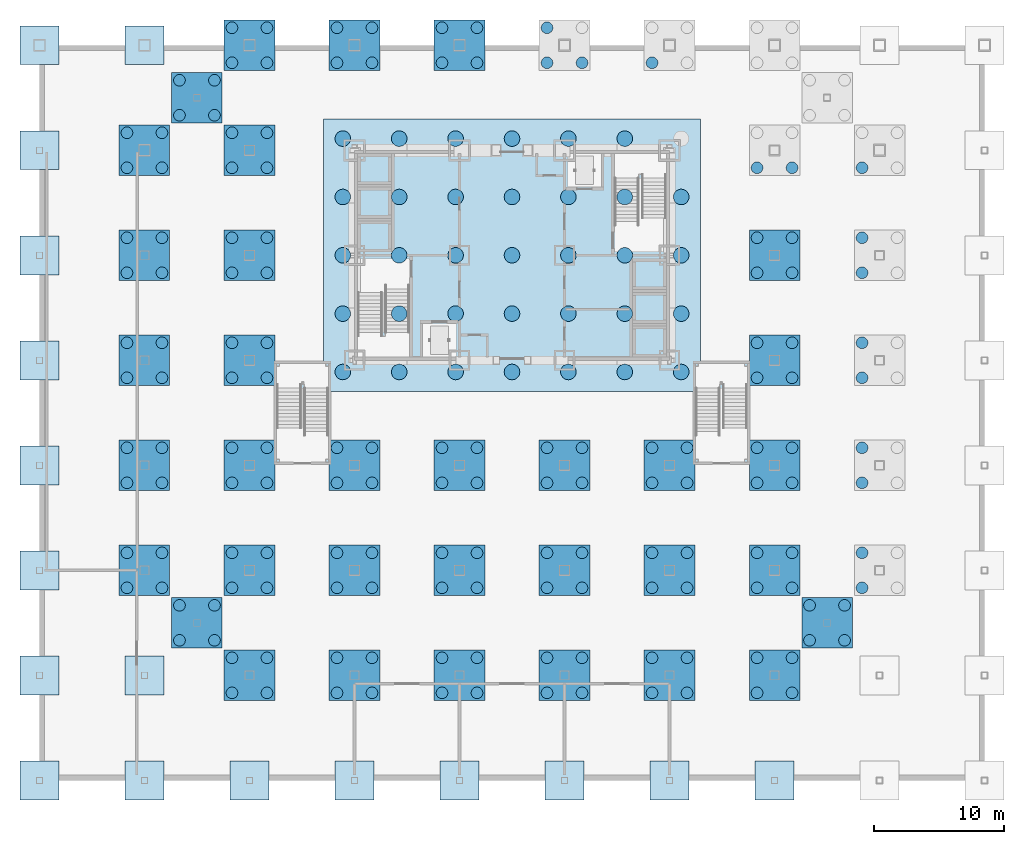
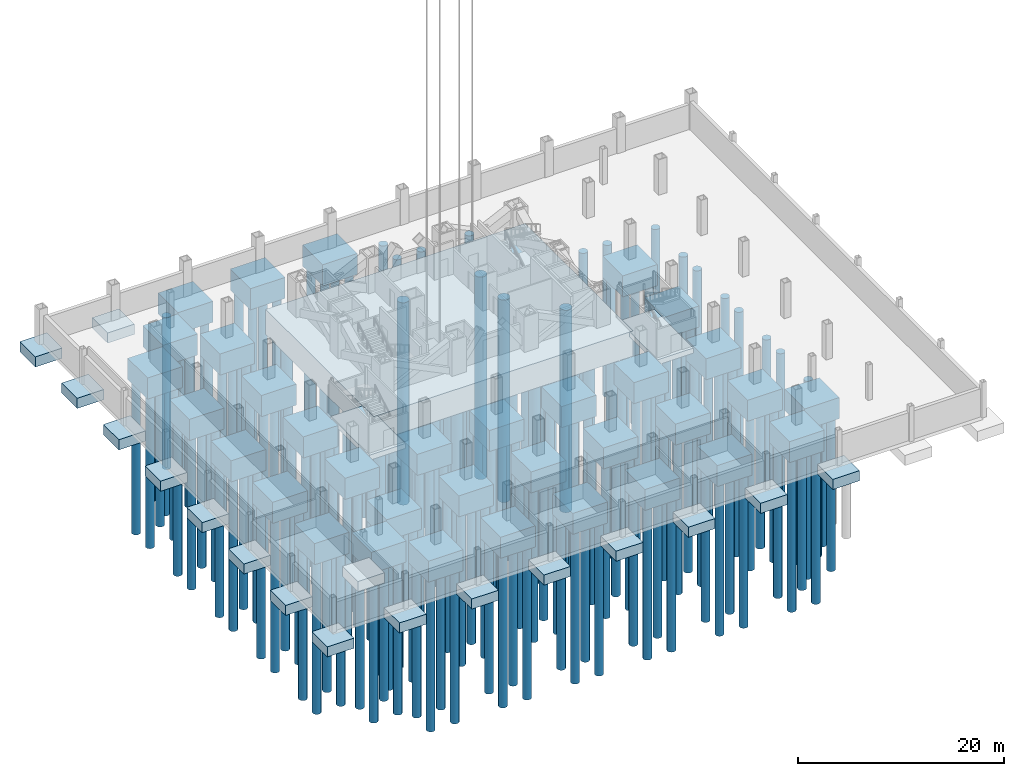
# One storey, part 1 of 17: 185 piles, 54 footings.
"""IFC4 building model written with IfcOpenShell, lengths in metres."""

from ifc_helpers import new_model, si_unit, direction, frame, origin, origin_2d, place, context, subcontext, project, spatial, polyline, rectangle, circle, outline, extrude, material, layer, layer_set, material_profile, profile_set, type_object, element, save


model = new_model("IFC4")

# Units and contexts
model_context = context("Model", 3, precision=1e-05, world=origin(), true_north=direction((0.0, 1.0)))
body_context = subcontext(model_context, "Body", "Model", "MODEL_VIEW")
ifc_project = project(units=[si_unit("LENGTHUNIT", "METRE"), si_unit("AREAUNIT", "SQUARE_METRE"), si_unit("VOLUMEUNIT", "CUBIC_METRE"), si_unit("PLANEANGLEUNIT", "RADIAN"), si_unit("MASSUNIT", "GRAM", prefix="KILO")], contexts=[model_context])

# Site, building, storey
site_placement = place(None, origin())
site = spatial("IfcSite", under=ifc_project, at=site_placement, CompositionType="ELEMENT")
building_placement = place(site_placement, origin())
building = spatial("IfcBuilding", under=site, at=building_placement, Name="Kopane Lantern Tower", CompositionType="ELEMENT")
storey_placement = place(building_placement, frame((0.0, 0.0, -8.39990234375)))
storey = spatial("IfcBuildingStorey", under=building, at=storey_placement, Name="L-02", CompositionType="ELEMENT", Elevation=-8.39990234375)

# Footings
ifc_material_1 = material(Name="Concrete C35/45", Category="concrete")
footing_type_1 = type_object("IfcFootingType", Name="CORE RAFT 3000", PredefinedType="PILE_CAP", material=ifc_material_1)
footing_1_placement = place(storey_placement, frame((0.0, 0.0, -3.400146484375)))
element("IfcFooting", 1, at=footing_1_placement, inside=storey, type_object=footing_type_1, Name="Core raft", PredefinedType="PILE_CAP", context=body_context, shape_type="SweptSolid", body=[
    extrude(outline(polyline([(13.800048828125, 21.89990234375), (42.89990234375, 21.89990234375), (42.89990234375, 42.89990234375), (13.800048828125, 42.89990234375), (13.800048828125, 21.89990234375)])), origin(), (0.0, 0.0, 1.0), 3.0),
])
ifc_material_2 = material(Name="Concrete C35/45", Category="concrete")
footing_type_2 = type_object("IfcFootingType", Name="PAD FOOTING 3000", PredefinedType="PAD_FOOTING", material=ifc_material_2)
for number, where, z_axis, x_axis, name in (
    (2, (-8.10009765625, -8.10009765625, -1.60009765625), (0.0, 0.0, 1.0), (1.0, 0.0, 0.0), "Pad footing 1/A"),
    (3, (-8.10009765625, 0.0, -1.60009765625), (0.0, 0.0, 1.0), (1.0, 0.0, 0.0), "Pad footing 1/B"),
    (4, (-8.10009765625, 8.10009765625, -1.60009765625), (0.0, 0.0, 1.0), (1.0, 0.0, 0.0), "Pad footing 1/C"),
    (5, (-8.10009765625, 16.199951171875, -1.60009765625), (0.0, 0.0, 1.0), (1.0, 0.0, 0.0), "Pad footing 1/D"),
    (6, (-8.10009765625, 24.300048828125, -1.60009765625), (0.0, 0.0, 1.0), (1.0, 0.0, 0.0), "Pad footing 1/E"),
    (7, (-8.10009765625, 32.39990234375, -1.60009765625), (0.0, 0.0, 1.0), (1.0, 0.0, 0.0), "Pad footing 1/F"),
    (8, (-8.10009765625, 40.5, -1.60009765625), (0.0, 0.0, 1.0), (1.0, 0.0, 0.0), "Pad footing 1/G"),
    (9, (-8.10009765625, 48.60009765625, -1.60009765625), (0.0, 0.0, 1.0), (1.0, 0.0, 0.0), "Pad footing 1/H"),
    (10, (0.0, -8.10009765625, -1.60009765625), (0.0, 0.0, 1.0), (1.0, 0.0, 0.0), "Pad footing 2/A"),
    (11, (0.0, 0.0, -1.60009765625), (0.0, 0.0, 1.0), (1.0, 0.0, 0.0), "Pad footing 2/B"),
    (12, (0.0, 48.60009765625, -1.60009765625), (0.0, 0.0, 1.0), (1.0, 0.0, 0.0), "Pad footing 2/H"),
    (13, (8.10009765625, -8.10009765625, -1.60009765625), (0.0, 0.0, 1.0), (1.0, 0.0, 0.0), "Pad footing 3/A"),
    (14, (16.199951171875, -8.10009765625, -1.60009765625), (0.0, 0.0, 1.0), (1.0, 0.0, 0.0), "Pad footing 4/A"),
    (15, (24.300048828125, -8.10009765625, -1.60009765625), (0.0, 0.0, 1.0), (1.0, 0.0, 0.0), "Pad footing 5/A"),
    (16, (32.39990234375, -8.10009765625, -1.60009765625), (0.0, 0.0, 1.0), (1.0, 0.0, 0.0), "Pad footing 6/A"),
    (17, (40.5, -8.10009765625, -1.60009765625), (0.0, 0.0, 1.0), (1.0, 0.0, 0.0), "Pad footing 7/A"),
    (18, (48.60009765625, -8.10009765625, -1.60009765625), (0.0, 0.0, 1.0), (1.0, 0.0, 0.0), "Pad footing 8/A"),
):
    element("IfcFooting", number, at=place(storey_placement, frame(where, z_axis=z_axis, x_axis=x_axis)), inside=storey, type_object=footing_type_2, Name=name, PredefinedType="PAD_FOOTING", context=body_context, shape_type="SweptSolid", body=[
        extrude(rectangle(XDim=3.0, YDim=3.0, at=origin_2d()), origin(), (0.0, 0.0, 1.0), 1.199951171875),
    ])

# Piles
ifc_material_3 = material(Name="Concrete C35/45", Category="concrete")
ifc_material_profile_1 = material_profile(ifc_material_3, circle(Radius=0.60009765625, at=origin_2d()), Name="D1200")
ifc_profile_set_1 = profile_set([ifc_material_profile_1], Name="Concrete C35/45")
pile_type_1 = type_object("IfcPileType", Name="PILE BORED 1200", PredefinedType="BORED", material=ifc_profile_set_1)
for number, where, z_axis, x_axis, name in (
    (19, (15.300048828125, 23.39990234375, -3.400146484375), (0.0, 0.0, -1.0), (1.0, 0.0, 0.0), "Core raft pile 1"),
    (20, (15.300048828125, 27.89990234375, -3.400146484375), (0.0, 0.0, -1.0), (1.0, 0.0, 0.0), "Core raft pile 2"),
    (21, (15.300048828125, 32.39990234375, -3.400146484375), (0.0, 0.0, -1.0), (1.0, 0.0, 0.0), "Core raft pile 3"),
    (22, (15.300048828125, 36.89990234375, -3.400146484375), (0.0, 0.0, -1.0), (1.0, 0.0, 0.0), "Core raft pile 4"),
    (23, (15.300048828125, 41.39990234375, -3.400146484375), (0.0, 0.0, -1.0), (1.0, 0.0, 0.0), "Core raft pile 5"),
    (24, (19.64990234375, 23.39990234375, -3.400146484375), (0.0, 0.0, -1.0), (1.0, 0.0, 0.0), "Core raft pile 6"),
    (25, (19.64990234375, 27.89990234375, -3.400146484375), (0.0, 0.0, -1.0), (1.0, 0.0, 0.0), "Core raft pile 7"),
    (26, (19.64990234375, 32.39990234375, -3.400146484375), (0.0, 0.0, -1.0), (1.0, 0.0, 0.0), "Core raft pile 8"),
    (27, (19.64990234375, 36.89990234375, -3.400146484375), (0.0, 0.0, -1.0), (1.0, 0.0, 0.0), "Core raft pile 9"),
    (28, (19.64990234375, 41.39990234375, -3.400146484375), (0.0, 0.0, -1.0), (1.0, 0.0, 0.0), "Core raft pile 10"),
    (29, (24.0, 23.39990234375, -3.400146484375), (0.0, 0.0, -1.0), (1.0, 0.0, 0.0), "Core raft pile 11"),
    (30, (24.0, 27.89990234375, -3.400146484375), (0.0, 0.0, -1.0), (1.0, 0.0, 0.0), "Core raft pile 12"),
    (31, (24.0, 32.39990234375, -3.400146484375), (0.0, 0.0, -1.0), (1.0, 0.0, 0.0), "Core raft pile 13"),
    (32, (24.0, 36.89990234375, -3.400146484375), (0.0, 0.0, -1.0), (1.0, 0.0, 0.0), "Core raft pile 14"),
    (33, (24.0, 41.39990234375, -3.400146484375), (0.0, 0.0, -1.0), (1.0, 0.0, 0.0), "Core raft pile 15"),
    (34, (28.35009765625, 23.39990234375, -3.400146484375), (0.0, 0.0, -1.0), (1.0, 0.0, 0.0), "Core raft pile 16"),
    (35, (28.35009765625, 27.89990234375, -3.400146484375), (0.0, 0.0, -1.0), (1.0, 0.0, 0.0), "Core raft pile 17"),
    (36, (28.35009765625, 32.39990234375, -3.400146484375), (0.0, 0.0, -1.0), (1.0, 0.0, 0.0), "Core raft pile 18"),
    (37, (28.35009765625, 36.89990234375, -3.400146484375), (0.0, 0.0, -1.0), (1.0, 0.0, 0.0), "Core raft pile 19"),
    (38, (28.35009765625, 41.39990234375, -3.400146484375), (0.0, 0.0, -1.0), (1.0, 0.0, 0.0), "Core raft pile 20"),
    (39, (32.699951171875, 23.39990234375, -3.400146484375), (0.0, 0.0, -1.0), (1.0, 0.0, 0.0), "Core raft pile 21"),
    (40, (32.699951171875, 27.89990234375, -3.400146484375), (0.0, 0.0, -1.0), (1.0, 0.0, 0.0), "Core raft pile 22"),
    (41, (32.699951171875, 32.39990234375, -3.400146484375), (0.0, 0.0, -1.0), (1.0, 0.0, 0.0), "Core raft pile 23"),
    (42, (32.699951171875, 36.89990234375, -3.400146484375), (0.0, 0.0, -1.0), (1.0, 0.0, 0.0), "Core raft pile 24"),
    (43, (32.699951171875, 41.39990234375, -3.400146484375), (0.0, 0.0, -1.0), (1.0, 0.0, 0.0), "Core raft pile 25"),
    (44, (37.050048828125, 23.39990234375, -3.400146484375), (0.0, 0.0, -1.0), (1.0, 0.0, 0.0), "Core raft pile 26"),
    (45, (37.050048828125, 27.89990234375, -3.400146484375), (0.0, 0.0, -1.0), (1.0, 0.0, 0.0), "Core raft pile 27"),
    (46, (37.050048828125, 32.39990234375, -3.400146484375), (0.0, 0.0, -1.0), (1.0, 0.0, 0.0), "Core raft pile 28"),
    (47, (37.050048828125, 36.89990234375, -3.400146484375), (0.0, 0.0, -1.0), (1.0, 0.0, 0.0), "Core raft pile 29"),
    (48, (37.050048828125, 41.39990234375, -3.400146484375), (0.0, 0.0, -1.0), (1.0, 0.0, 0.0), "Core raft pile 30"),
    (49, (41.39990234375, 23.39990234375, -3.400146484375), (0.0, 0.0, -1.0), (1.0, 0.0, 0.0), "Core raft pile 31"),
    (50, (41.39990234375, 27.89990234375, -3.400146484375), (0.0, 0.0, -1.0), (1.0, 0.0, 0.0), "Core raft pile 32"),
    (51, (41.39990234375, 32.39990234375, -3.400146484375), (0.0, 0.0, -1.0), (1.0, 0.0, 0.0), "Core raft pile 33"),
    (52, (41.39990234375, 36.89990234375, -3.400146484375), (0.0, 0.0, -1.0), (1.0, 0.0, 0.0), "Core raft pile 34"),
):
    element("IfcPile", number, at=place(storey_placement, frame(where, z_axis=z_axis, x_axis=x_axis)), inside=storey, type_object=pile_type_1, Name=name, PredefinedType="BORED", context=body_context, shape_type="SweptSolid", body=[
        extrude(circle(Radius=0.60009765625, at=origin_2d()), origin(), (0.0, 0.0, 1.0), 24.0),
    ])
ifc_material_4 = material(Name="Concrete C35/45", Category="concrete")
ifc_material_profile_2 = material_profile(ifc_material_4, circle(Radius=0.449951171875, at=origin_2d()), Name="D900")
ifc_profile_set_2 = profile_set([ifc_material_profile_2], Name="Concrete C35/45")
pile_type_2 = type_object("IfcPileType", Name="PILE BORED 900", PredefinedType="BORED", material=ifc_profile_set_2)
for number, where, z_axis, x_axis, name in (
    (53, (-1.35009765625, 6.75, -2.900146484375), (0.0, 0.0, -1.0), (1.0, 0.0, 0.0), "Pile 2/C-1"),
    (54, (1.35009765625, 6.75, -2.900146484375), (0.0, 0.0, -1.0), (1.0, 0.0, 0.0), "Pile 2/C-2"),
    (55, (1.35009765625, 9.449951171875, -2.900146484375), (0.0, 0.0, -1.0), (1.0, 0.0, 0.0), "Pile 2/C-3"),
    (56, (-1.35009765625, 9.449951171875, -2.900146484375), (0.0, 0.0, -1.0), (1.0, 0.0, 0.0), "Pile 2/C-4"),
    (57, (-1.35009765625, 14.85009765625, -2.900146484375), (0.0, 0.0, -1.0), (1.0, 0.0, 0.0), "Pile 2/D-1"),
    (58, (1.35009765625, 14.85009765625, -2.900146484375), (0.0, 0.0, -1.0), (1.0, 0.0, 0.0), "Pile 2/D-2"),
    (59, (1.35009765625, 17.550048828125, -2.900146484375), (0.0, 0.0, -1.0), (1.0, 0.0, 0.0), "Pile 2/D-3"),
    (60, (-1.35009765625, 17.550048828125, -2.900146484375), (0.0, 0.0, -1.0), (1.0, 0.0, 0.0), "Pile 2/D-4"),
    (61, (-1.35009765625, 22.949951171875, -2.900146484375), (0.0, 0.0, -1.0), (1.0, 0.0, 0.0), "Pile 2/E-1"),
    (62, (1.35009765625, 22.949951171875, -2.900146484375), (0.0, 0.0, -1.0), (1.0, 0.0, 0.0), "Pile 2/E-2"),
    (63, (1.35009765625, 25.64990234375, -2.900146484375), (0.0, 0.0, -1.0), (1.0, 0.0, 0.0), "Pile 2/E-3"),
    (64, (-1.35009765625, 25.64990234375, -2.900146484375), (0.0, 0.0, -1.0), (1.0, 0.0, 0.0), "Pile 2/E-4"),
    (65, (-1.35009765625, 31.050048828125, -2.900146484375), (0.0, 0.0, -1.0), (1.0, 0.0, 0.0), "Pile 2/F-1"),
    (66, (1.35009765625, 31.050048828125, -2.900146484375), (0.0, 0.0, -1.0), (1.0, 0.0, 0.0), "Pile 2/F-2"),
    (67, (1.35009765625, 33.75, -2.900146484375), (0.0, 0.0, -1.0), (1.0, 0.0, 0.0), "Pile 2/F-3"),
    (68, (-1.35009765625, 33.75, -2.900146484375), (0.0, 0.0, -1.0), (1.0, 0.0, 0.0), "Pile 2/F-4"),
    (69, (-1.35009765625, 39.14990234375, -2.900146484375), (0.0, 0.0, -1.0), (1.0, 0.0, 0.0), "Pile 2/G-1"),
    (70, (1.35009765625, 39.14990234375, -2.900146484375), (0.0, 0.0, -1.0), (1.0, 0.0, 0.0), "Pile 2/G-2"),
    (71, (1.35009765625, 41.85009765625, -2.900146484375), (0.0, 0.0, -1.0), (1.0, 0.0, 0.0), "Pile 2/G-3"),
    (72, (-1.35009765625, 41.85009765625, -2.900146484375), (0.0, 0.0, -1.0), (1.0, 0.0, 0.0), "Pile 2/G-4"),
    (73, (2.699951171875, 2.699951171875, -2.900146484375), (0.0, 0.0, -1.0), (1.0, 0.0, 0.0), "Pile 4.05/4.05-1"),
    (74, (5.39990234375, 2.699951171875, -2.900146484375), (0.0, 0.0, -1.0), (1.0, 0.0, 0.0), "Pile 4.05/4.05-2"),
    (75, (5.39990234375, 5.39990234375, -2.900146484375), (0.0, 0.0, -1.0), (1.0, 0.0, 0.0), "Pile 4.05/4.05-3"),
    (76, (2.699951171875, 5.39990234375, -2.900146484375), (0.0, 0.0, -1.0), (1.0, 0.0, 0.0), "Pile 4.05/4.05-4"),
    (77, (2.699951171875, 43.199951171875, -2.900146484375), (0.0, 0.0, -1.0), (1.0, 0.0, 0.0), "Pile 4.05/44.55-1"),
    (78, (5.39990234375, 43.199951171875, -2.900146484375), (0.0, 0.0, -1.0), (1.0, 0.0, 0.0), "Pile 4.05/44.55-2"),
    (79, (5.39990234375, 45.89990234375, -2.900146484375), (0.0, 0.0, -1.0), (1.0, 0.0, 0.0), "Pile 4.05/44.55-3"),
    (80, (2.699951171875, 45.89990234375, -2.900146484375), (0.0, 0.0, -1.0), (1.0, 0.0, 0.0), "Pile 4.05/44.55-4"),
    (81, (6.75, -1.35009765625, -2.900146484375), (0.0, 0.0, -1.0), (1.0, 0.0, 0.0), "Pile 3/B-1"),
    (82, (9.449951171875, -1.35009765625, -2.900146484375), (0.0, 0.0, -1.0), (1.0, 0.0, 0.0), "Pile 3/B-2"),
    (83, (9.449951171875, 1.35009765625, -2.900146484375), (0.0, 0.0, -1.0), (1.0, 0.0, 0.0), "Pile 3/B-3"),
    (84, (6.75, 1.35009765625, -2.900146484375), (0.0, 0.0, -1.0), (1.0, 0.0, 0.0), "Pile 3/B-4"),
    (85, (6.75, 6.75, -2.900146484375), (0.0, 0.0, -1.0), (1.0, 0.0, 0.0), "Pile 3/C-1"),
    (86, (9.449951171875, 6.75, -2.900146484375), (0.0, 0.0, -1.0), (1.0, 0.0, 0.0), "Pile 3/C-2"),
    (87, (9.449951171875, 9.449951171875, -2.900146484375), (0.0, 0.0, -1.0), (1.0, 0.0, 0.0), "Pile 3/C-3"),
    (88, (6.75, 9.449951171875, -2.900146484375), (0.0, 0.0, -1.0), (1.0, 0.0, 0.0), "Pile 3/C-4"),
    (89, (6.75, 14.85009765625, -2.900146484375), (0.0, 0.0, -1.0), (1.0, 0.0, 0.0), "Pile 3/D-1"),
    (90, (9.449951171875, 14.85009765625, -2.900146484375), (0.0, 0.0, -1.0), (1.0, 0.0, 0.0), "Pile 3/D-2"),
    (91, (9.449951171875, 17.550048828125, -2.900146484375), (0.0, 0.0, -1.0), (1.0, 0.0, 0.0), "Pile 3/D-3"),
    (92, (6.75, 17.550048828125, -2.900146484375), (0.0, 0.0, -1.0), (1.0, 0.0, 0.0), "Pile 3/D-4"),
    (93, (6.75, 22.949951171875, -2.900146484375), (0.0, 0.0, -1.0), (1.0, 0.0, 0.0), "Pile 3/E-1"),
    (94, (9.449951171875, 22.949951171875, -2.900146484375), (0.0, 0.0, -1.0), (1.0, 0.0, 0.0), "Pile 3/E-2"),
    (95, (9.449951171875, 25.64990234375, -2.900146484375), (0.0, 0.0, -1.0), (1.0, 0.0, 0.0), "Pile 3/E-3"),
    (96, (6.75, 25.64990234375, -2.900146484375), (0.0, 0.0, -1.0), (1.0, 0.0, 0.0), "Pile 3/E-4"),
    (97, (6.75, 31.050048828125, -2.900146484375), (0.0, 0.0, -1.0), (1.0, 0.0, 0.0), "Pile 3/F-1"),
    (98, (9.449951171875, 31.050048828125, -2.900146484375), (0.0, 0.0, -1.0), (1.0, 0.0, 0.0), "Pile 3/F-2"),
    (99, (9.449951171875, 33.75, -2.900146484375), (0.0, 0.0, -1.0), (1.0, 0.0, 0.0), "Pile 3/F-3"),
    (100, (6.75, 33.75, -2.900146484375), (0.0, 0.0, -1.0), (1.0, 0.0, 0.0), "Pile 3/F-4"),
    (101, (6.75, 39.14990234375, -2.900146484375), (0.0, 0.0, -1.0), (1.0, 0.0, 0.0), "Pile 3/G-1"),
    (102, (9.449951171875, 39.14990234375, -2.900146484375), (0.0, 0.0, -1.0), (1.0, 0.0, 0.0), "Pile 3/G-2"),
    (103, (9.449951171875, 41.85009765625, -2.900146484375), (0.0, 0.0, -1.0), (1.0, 0.0, 0.0), "Pile 3/G-3"),
    (104, (6.75, 41.85009765625, -2.900146484375), (0.0, 0.0, -1.0), (1.0, 0.0, 0.0), "Pile 3/G-4"),
    (105, (6.75, 47.25, -2.900146484375), (0.0, 0.0, -1.0), (1.0, 0.0, 0.0), "Pile 3/H-1"),
    (106, (9.449951171875, 47.25, -2.900146484375), (0.0, 0.0, -1.0), (1.0, 0.0, 0.0), "Pile 3/H-2"),
    (107, (9.449951171875, 49.949951171875, -2.900146484375), (0.0, 0.0, -1.0), (1.0, 0.0, 0.0), "Pile 3/H-3"),
    (108, (6.75, 49.949951171875, -2.900146484375), (0.0, 0.0, -1.0), (1.0, 0.0, 0.0), "Pile 3/H-4"),
    (109, (14.85009765625, -1.35009765625, -2.900146484375), (0.0, 0.0, -1.0), (1.0, 0.0, 0.0), "Pile 4/B-1"),
    (110, (17.550048828125, -1.35009765625, -2.900146484375), (0.0, 0.0, -1.0), (1.0, 0.0, 0.0), "Pile 4/B-2"),
    (111, (17.550048828125, 1.35009765625, -2.900146484375), (0.0, 0.0, -1.0), (1.0, 0.0, 0.0), "Pile 4/B-3"),
    (112, (14.85009765625, 1.35009765625, -2.900146484375), (0.0, 0.0, -1.0), (1.0, 0.0, 0.0), "Pile 4/B-4"),
    (113, (14.85009765625, 6.75, -2.900146484375), (0.0, 0.0, -1.0), (1.0, 0.0, 0.0), "Pile 4/C-1"),
    (114, (17.550048828125, 6.75, -2.900146484375), (0.0, 0.0, -1.0), (1.0, 0.0, 0.0), "Pile 4/C-2"),
    (115, (17.550048828125, 9.449951171875, -2.900146484375), (0.0, 0.0, -1.0), (1.0, 0.0, 0.0), "Pile 4/C-3"),
    (116, (14.85009765625, 9.449951171875, -2.900146484375), (0.0, 0.0, -1.0), (1.0, 0.0, 0.0), "Pile 4/C-4"),
    (117, (14.85009765625, 14.85009765625, -2.900146484375), (0.0, 0.0, -1.0), (1.0, 0.0, 0.0), "Pile 4/D-1"),
    (118, (17.550048828125, 14.85009765625, -2.900146484375), (0.0, 0.0, -1.0), (1.0, 0.0, 0.0), "Pile 4/D-2"),
    (119, (17.550048828125, 17.550048828125, -2.900146484375), (0.0, 0.0, -1.0), (1.0, 0.0, 0.0), "Pile 4/D-3"),
    (120, (14.85009765625, 17.550048828125, -2.900146484375), (0.0, 0.0, -1.0), (1.0, 0.0, 0.0), "Pile 4/D-4"),
    (121, (14.85009765625, 47.25, -2.900146484375), (0.0, 0.0, -1.0), (1.0, 0.0, 0.0), "Pile 4/H-1"),
    (122, (17.550048828125, 47.25, -2.900146484375), (0.0, 0.0, -1.0), (1.0, 0.0, 0.0), "Pile 4/H-2"),
    (123, (17.550048828125, 49.949951171875, -2.900146484375), (0.0, 0.0, -1.0), (1.0, 0.0, 0.0), "Pile 4/H-3"),
    (124, (14.85009765625, 49.949951171875, -2.900146484375), (0.0, 0.0, -1.0), (1.0, 0.0, 0.0), "Pile 4/H-4"),
    (125, (22.949951171875, -1.35009765625, -2.900146484375), (0.0, 0.0, -1.0), (1.0, 0.0, 0.0), "Pile 5/B-1"),
    (126, (25.64990234375, -1.35009765625, -2.900146484375), (0.0, 0.0, -1.0), (1.0, 0.0, 0.0), "Pile 5/B-2"),
    (127, (25.64990234375, 1.35009765625, -2.900146484375), (0.0, 0.0, -1.0), (1.0, 0.0, 0.0), "Pile 5/B-3"),
    (128, (22.949951171875, 1.35009765625, -2.900146484375), (0.0, 0.0, -1.0), (1.0, 0.0, 0.0), "Pile 5/B-4"),
    (129, (22.949951171875, 6.75, -2.900146484375), (0.0, 0.0, -1.0), (1.0, 0.0, 0.0), "Pile 5/C-1"),
    (130, (25.64990234375, 6.75, -2.900146484375), (0.0, 0.0, -1.0), (1.0, 0.0, 0.0), "Pile 5/C-2"),
    (131, (25.64990234375, 9.449951171875, -2.900146484375), (0.0, 0.0, -1.0), (1.0, 0.0, 0.0), "Pile 5/C-3"),
    (132, (22.949951171875, 9.449951171875, -2.900146484375), (0.0, 0.0, -1.0), (1.0, 0.0, 0.0), "Pile 5/C-4"),
    (133, (22.949951171875, 14.85009765625, -2.900146484375), (0.0, 0.0, -1.0), (1.0, 0.0, 0.0), "Pile 5/D-1"),
    (134, (25.64990234375, 14.85009765625, -2.900146484375), (0.0, 0.0, -1.0), (1.0, 0.0, 0.0), "Pile 5/D-2"),
    (135, (25.64990234375, 17.550048828125, -2.900146484375), (0.0, 0.0, -1.0), (1.0, 0.0, 0.0), "Pile 5/D-3"),
    (136, (22.949951171875, 17.550048828125, -2.900146484375), (0.0, 0.0, -1.0), (1.0, 0.0, 0.0), "Pile 5/D-4"),
    (137, (22.949951171875, 47.25, -2.900146484375), (0.0, 0.0, -1.0), (1.0, 0.0, 0.0), "Pile 5/H-1"),
    (138, (25.64990234375, 47.25, -2.900146484375), (0.0, 0.0, -1.0), (1.0, 0.0, 0.0), "Pile 5/H-2"),
    (139, (25.64990234375, 49.949951171875, -2.900146484375), (0.0, 0.0, -1.0), (1.0, 0.0, 0.0), "Pile 5/H-3"),
    (140, (22.949951171875, 49.949951171875, -2.900146484375), (0.0, 0.0, -1.0), (1.0, 0.0, 0.0), "Pile 5/H-4"),
    (141, (31.050048828125, -1.35009765625, -2.900146484375), (0.0, 0.0, -1.0), (1.0, 0.0, 0.0), "Pile 6/B-1"),
    (142, (33.75, -1.35009765625, -2.900146484375), (0.0, 0.0, -1.0), (1.0, 0.0, 0.0), "Pile 6/B-2"),
    (143, (33.75, 1.35009765625, -2.900146484375), (0.0, 0.0, -1.0), (1.0, 0.0, 0.0), "Pile 6/B-3"),
    (144, (31.050048828125, 1.35009765625, -2.900146484375), (0.0, 0.0, -1.0), (1.0, 0.0, 0.0), "Pile 6/B-4"),
    (145, (31.050048828125, 6.75, -2.900146484375), (0.0, 0.0, -1.0), (1.0, 0.0, 0.0), "Pile 6/C-1"),
    (146, (33.75, 6.75, -2.900146484375), (0.0, 0.0, -1.0), (1.0, 0.0, 0.0), "Pile 6/C-2"),
    (147, (33.75, 9.449951171875, -2.900146484375), (0.0, 0.0, -1.0), (1.0, 0.0, 0.0), "Pile 6/C-3"),
    (148, (31.050048828125, 9.449951171875, -2.900146484375), (0.0, 0.0, -1.0), (1.0, 0.0, 0.0), "Pile 6/C-4"),
    (149, (31.050048828125, 14.85009765625, -2.900146484375), (0.0, 0.0, -1.0), (1.0, 0.0, 0.0), "Pile 6/D-1"),
    (150, (33.75, 14.85009765625, -2.900146484375), (0.0, 0.0, -1.0), (1.0, 0.0, 0.0), "Pile 6/D-2"),
    (151, (33.75, 17.550048828125, -2.900146484375), (0.0, 0.0, -1.0), (1.0, 0.0, 0.0), "Pile 6/D-3"),
    (152, (31.050048828125, 17.550048828125, -2.900146484375), (0.0, 0.0, -1.0), (1.0, 0.0, 0.0), "Pile 6/D-4"),
    (153, (31.050048828125, 47.25, -2.900146484375), (0.0, 0.0, -1.0), (1.0, 0.0, 0.0), "Pile 6/H-1"),
    (154, (33.75, 47.25, -2.900146484375), (0.0, 0.0, -1.0), (1.0, 0.0, 0.0), "Pile 6/H-2"),
    (155, (31.050048828125, 49.949951171875, -2.900146484375), (0.0, 0.0, -1.0), (1.0, 0.0, 0.0), "Pile 6/H-4"),
    (156, (39.14990234375, -1.35009765625, -2.900146484375), (0.0, 0.0, -1.0), (1.0, 0.0, 0.0), "Pile 7/B-1"),
    (157, (41.85009765625, -1.35009765625, -2.900146484375), (0.0, 0.0, -1.0), (1.0, 0.0, 0.0), "Pile 7/B-2"),
    (158, (41.85009765625, 1.35009765625, -2.900146484375), (0.0, 0.0, -1.0), (1.0, 0.0, 0.0), "Pile 7/B-3"),
    (159, (39.14990234375, 1.35009765625, -2.900146484375), (0.0, 0.0, -1.0), (1.0, 0.0, 0.0), "Pile 7/B-4"),
    (160, (39.14990234375, 6.75, -2.900146484375), (0.0, 0.0, -1.0), (1.0, 0.0, 0.0), "Pile 7/C-1"),
    (161, (41.85009765625, 6.75, -2.900146484375), (0.0, 0.0, -1.0), (1.0, 0.0, 0.0), "Pile 7/C-2"),
    (162, (41.85009765625, 9.449951171875, -2.900146484375), (0.0, 0.0, -1.0), (1.0, 0.0, 0.0), "Pile 7/C-3"),
    (163, (39.14990234375, 9.449951171875, -2.900146484375), (0.0, 0.0, -1.0), (1.0, 0.0, 0.0), "Pile 7/C-4"),
    (164, (39.14990234375, 14.85009765625, -2.900146484375), (0.0, 0.0, -1.0), (1.0, 0.0, 0.0), "Pile 7/D-1"),
    (165, (41.85009765625, 14.85009765625, -2.900146484375), (0.0, 0.0, -1.0), (1.0, 0.0, 0.0), "Pile 7/D-2"),
    (166, (41.85009765625, 17.550048828125, -2.900146484375), (0.0, 0.0, -1.0), (1.0, 0.0, 0.0), "Pile 7/D-3"),
    (167, (39.14990234375, 17.550048828125, -2.900146484375), (0.0, 0.0, -1.0), (1.0, 0.0, 0.0), "Pile 7/D-4"),
    (168, (39.14990234375, 47.25, -2.900146484375), (0.0, 0.0, -1.0), (1.0, 0.0, 0.0), "Pile 7/H-1"),
    (169, (47.25, -1.35009765625, -2.900146484375), (0.0, 0.0, -1.0), (1.0, 0.0, 0.0), "Pile 8/B-1"),
    (170, (49.949951171875, -1.35009765625, -2.900146484375), (0.0, 0.0, -1.0), (1.0, 0.0, 0.0), "Pile 8/B-2"),
    (171, (49.949951171875, 1.35009765625, -2.900146484375), (0.0, 0.0, -1.0), (1.0, 0.0, 0.0), "Pile 8/B-3"),
    (172, (47.25, 1.35009765625, -2.900146484375), (0.0, 0.0, -1.0), (1.0, 0.0, 0.0), "Pile 8/B-4"),
    (173, (47.25, 6.75, -2.900146484375), (0.0, 0.0, -1.0), (1.0, 0.0, 0.0), "Pile 8/C-1"),
    (174, (49.949951171875, 6.75, -2.900146484375), (0.0, 0.0, -1.0), (1.0, 0.0, 0.0), "Pile 8/C-2"),
    (175, (49.949951171875, 9.449951171875, -2.900146484375), (0.0, 0.0, -1.0), (1.0, 0.0, 0.0), "Pile 8/C-3"),
    (176, (47.25, 9.449951171875, -2.900146484375), (0.0, 0.0, -1.0), (1.0, 0.0, 0.0), "Pile 8/C-4"),
    (177, (47.25, 14.85009765625, -2.900146484375), (0.0, 0.0, -1.0), (1.0, 0.0, 0.0), "Pile 8/D-1"),
    (178, (49.949951171875, 14.85009765625, -2.900146484375), (0.0, 0.0, -1.0), (1.0, 0.0, 0.0), "Pile 8/D-2"),
    (179, (49.949951171875, 17.550048828125, -2.900146484375), (0.0, 0.0, -1.0), (1.0, 0.0, 0.0), "Pile 8/D-3"),
    (180, (47.25, 17.550048828125, -2.900146484375), (0.0, 0.0, -1.0), (1.0, 0.0, 0.0), "Pile 8/D-4"),
    (181, (47.25, 22.949951171875, -2.900146484375), (0.0, 0.0, -1.0), (1.0, 0.0, 0.0), "Pile 8/E-1"),
    (182, (49.949951171875, 22.949951171875, -2.900146484375), (0.0, 0.0, -1.0), (1.0, 0.0, 0.0), "Pile 8/E-2"),
    (183, (49.949951171875, 25.64990234375, -2.900146484375), (0.0, 0.0, -1.0), (1.0, 0.0, 0.0), "Pile 8/E-3"),
    (184, (47.25, 25.64990234375, -2.900146484375), (0.0, 0.0, -1.0), (1.0, 0.0, 0.0), "Pile 8/E-4"),
    (185, (47.25, 31.050048828125, -2.900146484375), (0.0, 0.0, -1.0), (1.0, 0.0, 0.0), "Pile 8/F-1"),
    (186, (49.949951171875, 31.050048828125, -2.900146484375), (0.0, 0.0, -1.0), (1.0, 0.0, 0.0), "Pile 8/F-2"),
    (187, (49.949951171875, 33.75, -2.900146484375), (0.0, 0.0, -1.0), (1.0, 0.0, 0.0), "Pile 8/F-3"),
    (188, (47.25, 33.75, -2.900146484375), (0.0, 0.0, -1.0), (1.0, 0.0, 0.0), "Pile 8/F-4"),
    (189, (47.25, 39.14990234375, -2.900146484375), (0.0, 0.0, -1.0), (1.0, 0.0, 0.0), "Pile 8/G-1"),
    (190, (49.949951171875, 39.14990234375, -2.900146484375), (0.0, 0.0, -1.0), (1.0, 0.0, 0.0), "Pile 8/G-2"),
    (191, (51.300048828125, 2.699951171875, -2.900146484375), (0.0, 0.0, -1.0), (1.0, 0.0, 0.0), "Pile 52.65/4.05-1"),
    (192, (54.0, 2.699951171875, -2.900146484375), (0.0, 0.0, -1.0), (1.0, 0.0, 0.0), "Pile 52.65/4.05-2"),
    (193, (54.0, 5.39990234375, -2.900146484375), (0.0, 0.0, -1.0), (1.0, 0.0, 0.0), "Pile 52.65/4.05-3"),
    (194, (51.300048828125, 5.39990234375, -2.900146484375), (0.0, 0.0, -1.0), (1.0, 0.0, 0.0), "Pile 52.65/4.05-4"),
    (195, (55.35009765625, 6.75, -2.900146484375), (0.0, 0.0, -1.0), (1.0, 0.0, 0.0), "Pile 9/C-1"),
    (196, (55.35009765625, 9.449951171875, -2.900146484375), (0.0, 0.0, -1.0), (1.0, 0.0, 0.0), "Pile 9/C-4"),
    (197, (55.35009765625, 14.85009765625, -2.900146484375), (0.0, 0.0, -1.0), (1.0, 0.0, 0.0), "Pile 9/D-1"),
    (198, (55.35009765625, 17.550048828125, -2.900146484375), (0.0, 0.0, -1.0), (1.0, 0.0, 0.0), "Pile 9/D-4"),
    (199, (55.35009765625, 22.949951171875, -2.900146484375), (0.0, 0.0, -1.0), (1.0, 0.0, 0.0), "Pile 9/E-1"),
    (200, (55.35009765625, 25.64990234375, -2.900146484375), (0.0, 0.0, -1.0), (1.0, 0.0, 0.0), "Pile 9/E-4"),
    (201, (55.35009765625, 31.050048828125, -2.900146484375), (0.0, 0.0, -1.0), (1.0, 0.0, 0.0), "Pile 9/F-1"),
    (202, (55.35009765625, 33.75, -2.900146484375), (0.0, 0.0, -1.0), (1.0, 0.0, 0.0), "Pile 9/F-4"),
    (203, (55.35009765625, 39.14990234375, -2.900146484375), (0.0, 0.0, -1.0), (1.0, 0.0, 0.0), "Pile 9/G-1"),
):
    element("IfcPile", number, at=place(storey_placement, frame(where, z_axis=z_axis, x_axis=x_axis)), inside=storey, type_object=pile_type_2, Name=name, PredefinedType="BORED", context=body_context, shape_type="SweptSolid", body=[
        extrude(circle(Radius=0.449951171875, at=origin_2d()), origin(), (0.0, 0.0, 1.0), 18.0),
    ])

# Footings
ifc_material_5 = material(Name="Concrete C35/45", Category="concrete")
footing_type_3 = type_object("IfcFootingType", Name="PILE CAP 4P 3900", PredefinedType="PILE_CAP", material=ifc_material_5)
for number, where, z_axis, x_axis, name in (
    (204, (0.0, 8.10009765625, -2.900146484375), (0.0, 0.0, 1.0), (1.0, 0.0, 0.0), "Pile cap 2/C"),
    (205, (0.0, 16.199951171875, -2.900146484375), (0.0, 0.0, 1.0), (1.0, 0.0, 0.0), "Pile cap 2/D"),
    (206, (0.0, 24.300048828125, -2.900146484375), (0.0, 0.0, 1.0), (1.0, 0.0, 0.0), "Pile cap 2/E"),
    (207, (0.0, 32.39990234375, -2.900146484375), (0.0, 0.0, 1.0), (1.0, 0.0, 0.0), "Pile cap 2/F"),
    (208, (0.0, 40.5, -2.900146484375), (0.0, 0.0, 1.0), (1.0, 0.0, 0.0), "Pile cap 2/G"),
    (209, (4.050048828125, 4.050048828125, -2.900146484375), (0.0, 0.0, 1.0), (1.0, 0.0, 0.0), "Pile cap 4.05/4.05"),
    (210, (4.050048828125, 44.550048828125, -2.900146484375), (0.0, 0.0, 1.0), (1.0, 0.0, 0.0), "Pile cap 4.05/44.55"),
    (211, (8.10009765625, 0.0, -2.900146484375), (0.0, 0.0, 1.0), (1.0, 0.0, 0.0), "Pile cap 3/B"),
    (212, (8.10009765625, 8.10009765625, -2.900146484375), (0.0, 0.0, 1.0), (1.0, 0.0, 0.0), "Pile cap 3/C"),
    (213, (8.10009765625, 16.199951171875, -2.900146484375), (0.0, 0.0, 1.0), (1.0, 0.0, 0.0), "Pile cap 3/D"),
    (214, (8.10009765625, 24.300048828125, -2.900146484375), (0.0, 0.0, 1.0), (1.0, 0.0, 0.0), "Pile cap 3/E"),
    (215, (8.10009765625, 32.39990234375, -2.900146484375), (0.0, 0.0, 1.0), (1.0, 0.0, 0.0), "Pile cap 3/F"),
    (216, (8.10009765625, 40.5, -2.900146484375), (0.0, 0.0, 1.0), (1.0, 0.0, 0.0), "Pile cap 3/G"),
    (217, (8.10009765625, 48.60009765625, -2.900146484375), (0.0, 0.0, 1.0), (1.0, 0.0, 0.0), "Pile cap 3/H"),
    (218, (16.199951171875, 0.0, -2.900146484375), (0.0, 0.0, 1.0), (1.0, 0.0, 0.0), "Pile cap 4/B"),
    (219, (16.199951171875, 8.10009765625, -2.900146484375), (0.0, 0.0, 1.0), (1.0, 0.0, 0.0), "Pile cap 4/C"),
    (220, (16.199951171875, 16.199951171875, -2.900146484375), (0.0, 0.0, 1.0), (1.0, 0.0, 0.0), "Pile cap 4/D"),
    (221, (16.199951171875, 48.60009765625, -2.900146484375), (0.0, 0.0, 1.0), (1.0, 0.0, 0.0), "Pile cap 4/H"),
    (222, (24.300048828125, 0.0, -2.900146484375), (0.0, 0.0, 1.0), (1.0, 0.0, 0.0), "Pile cap 5/B"),
    (223, (24.300048828125, 8.10009765625, -2.900146484375), (0.0, 0.0, 1.0), (1.0, 0.0, 0.0), "Pile cap 5/C"),
    (224, (24.300048828125, 16.199951171875, -2.900146484375), (0.0, 0.0, 1.0), (1.0, 0.0, 0.0), "Pile cap 5/D"),
    (225, (24.300048828125, 48.60009765625, -2.900146484375), (0.0, 0.0, 1.0), (1.0, 0.0, 0.0), "Pile cap 5/H"),
    (226, (32.39990234375, 0.0, -2.900146484375), (0.0, 0.0, 1.0), (1.0, 0.0, 0.0), "Pile cap 6/B"),
    (227, (32.39990234375, 8.10009765625, -2.900146484375), (0.0, 0.0, 1.0), (1.0, 0.0, 0.0), "Pile cap 6/C"),
    (228, (32.39990234375, 16.199951171875, -2.900146484375), (0.0, 0.0, 1.0), (1.0, 0.0, 0.0), "Pile cap 6/D"),
    (229, (40.5, 0.0, -2.900146484375), (0.0, 0.0, 1.0), (1.0, 0.0, 0.0), "Pile cap 7/B"),
    (230, (40.5, 8.10009765625, -2.900146484375), (0.0, 0.0, 1.0), (1.0, 0.0, 0.0), "Pile cap 7/C"),
    (231, (40.5, 16.199951171875, -2.900146484375), (0.0, 0.0, 1.0), (1.0, 0.0, 0.0), "Pile cap 7/D"),
    (232, (48.60009765625, 0.0, -2.900146484375), (0.0, 0.0, 1.0), (1.0, 0.0, 0.0), "Pile cap 8/B"),
    (233, (48.60009765625, 8.10009765625, -2.900146484375), (0.0, 0.0, 1.0), (1.0, 0.0, 0.0), "Pile cap 8/C"),
    (234, (48.60009765625, 16.199951171875, -2.900146484375), (0.0, 0.0, 1.0), (1.0, 0.0, 0.0), "Pile cap 8/D"),
    (235, (48.60009765625, 24.300048828125, -2.900146484375), (0.0, 0.0, 1.0), (1.0, 0.0, 0.0), "Pile cap 8/E"),
    (236, (48.60009765625, 32.39990234375, -2.900146484375), (0.0, 0.0, 1.0), (1.0, 0.0, 0.0), "Pile cap 8/F"),
    (237, (52.64990234375, 4.050048828125, -2.900146484375), (0.0, 0.0, 1.0), (1.0, 0.0, 0.0), "Pile cap 52.65/4.05"),
):
    element("IfcFooting", number, at=place(storey_placement, frame(where, z_axis=z_axis, x_axis=x_axis)), inside=storey, type_object=footing_type_3, Name=name, PredefinedType="PILE_CAP", context=body_context, shape_type="SweptSolid", body=[
        extrude(rectangle(XDim=3.89990234375, YDim=3.89990234375, at=origin_2d()), origin(), (0.0, 0.0, 1.0), 2.5),
    ])
ifc_material_6 = material(Name="Concrete C40/50", Category="concrete")
ifc_layer = layer(ifc_material_6, 0.60009765625)
ifc_layer_set = layer_set([ifc_layer], Name="STAIR BASE PAD 600")
footing_type_4 = type_object("IfcFootingType", Name="STAIR BASE PAD 600", PredefinedType="PAD_FOOTING", material=ifc_layer_set)
footing_2_placement = place(storey_placement, frame((0.0, 0.0, -1.0)))
element("IfcFooting", 238, at=footing_2_placement, inside=storey, type_object=footing_type_4, Name="Stair base pad ST3", PredefinedType="PAD_FOOTING", context=body_context, shape_type="SweptSolid", body=[
    extrude(outline(polyline([(14.199951171875, 21.89990234375), (13.800048828125, 21.89990234375), (13.800048828125, 24.050048828125), (10.199951171875, 24.050048828125), (10.199951171875, 16.449951171875), (14.199951171875, 16.449951171875), (14.199951171875, 21.89990234375)])), origin(), (0.0, 0.0, 1.0), 0.599853515625),
])
footing_3_placement = place(storey_placement, frame((0.0, 0.0, -1.0)))
element("IfcFooting", 239, at=footing_3_placement, inside=storey, type_object=footing_type_4, Name="Stair base pad ST4", PredefinedType="PAD_FOOTING", context=body_context, shape_type="SweptSolid", body=[
    extrude(outline(polyline([(42.89990234375, 24.050048828125), (42.89990234375, 21.89990234375), (42.5, 21.89990234375), (42.5, 16.449951171875), (46.5, 16.449951171875), (46.5, 24.050048828125), (42.89990234375, 24.050048828125)])), origin(), (0.0, 0.0, 1.0), 0.599853515625),
])

save(model, "model.ifc")
